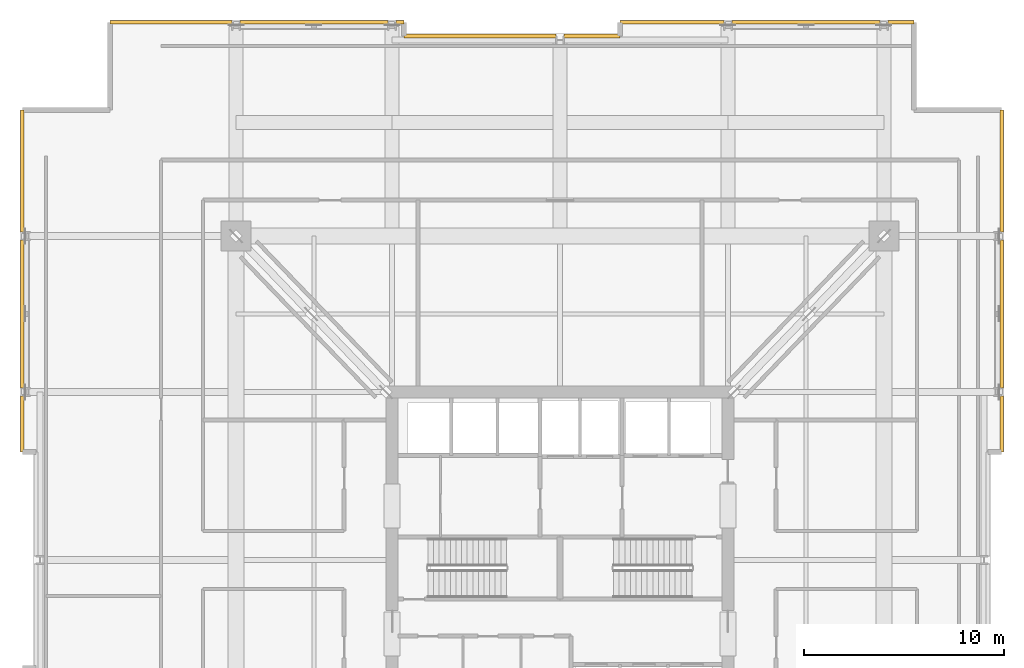
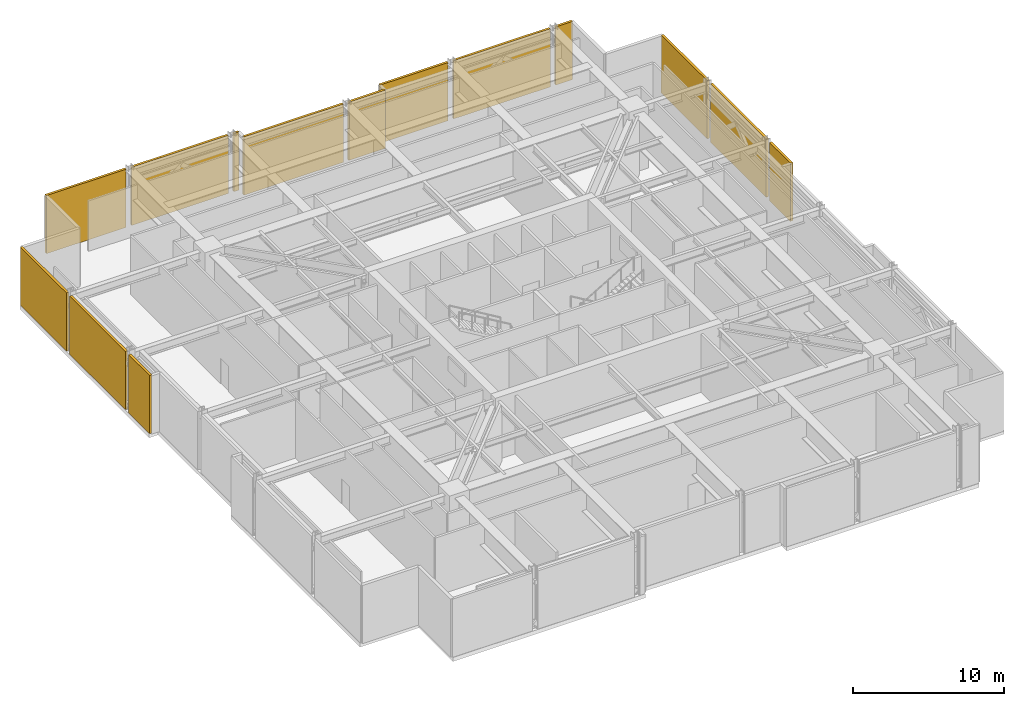
# One storey, part 13 of 13: 14 shading devices.
"""IFC4 building model written with IfcOpenShell, lengths in metres."""

import ifcopenshell
import ifcopenshell.guid

model = None  # the IFC model being written
_history = None  # IfcOwnerHistory: only IFC2X3 demands one
_inside = {}  # id of a spatial element -> (the spatial element, [elements in it])
_under = {}  # id of a project, library or spatial element -> (it, [spatial elements below it])
_declared = {}  # id of a project -> (the project, [libraries it declares])
_typed = {}  # id of a type object -> (the type object, [elements of that type])
_made_of = {}  # id of a material, layer set ... -> (it, [elements and type objects made of it])


def new_model(schema):
    """Start an empty IFC model of exactly this schema.

    Asked for "IFC4X3", IfcOpenShell would pick the latest addendum, in which some entities
    have other attributes; the version numbers below select the first issue.
    IFC2X3 requires an IfcOwnerHistory on every rooted entity: one is made here for all.
    """
    global model, _history
    if schema == "IFC4X3":
        model = ifcopenshell.file(schema_version=(4, 3, 0, 0))
    else:
        model = ifcopenshell.file(schema=schema)
    _inside.clear()
    _under.clear()
    _declared.clear()
    _typed.clear()
    _made_of.clear()
    _history = None
    if model.schema == "IFC2X3":
        org = make("IfcOrganization", Name="unknown")
        user = make(
            "IfcPersonAndOrganization",
            ThePerson=make("IfcPerson", FamilyName="unknown"),
            TheOrganization=org,
        )
        app = make(
            "IfcApplication",
            ApplicationDeveloper=org,
            Version="unknown",
            ApplicationFullName="unknown",
            ApplicationIdentifier="unknown",
        )
        _history = make(
            "IfcOwnerHistory",
            OwningUser=user,
            OwningApplication=app,
            ChangeAction="ADDED",
            CreationDate=0,
        )
    return model


def make(cls, **values):
    """One entity of the class cls with the attributes given. An attribute that is None is left unset."""
    return model.create_entity(
        cls, **{name: value for name, value in values.items() if value is not None}
    )


def rooted(cls, **values):
    """An entity with a GlobalId (a new one), such as an element, a storey or a relation."""
    return make(cls, GlobalId=ifcopenshell.guid.new(), OwnerHistory=_history, **values)


def si_unit(unit_type, name, prefix=None):
    """IfcSIUnit, for example si_unit("LENGTHUNIT", "METRE", prefix="MILLI")."""
    return make("IfcSIUnit", UnitType=unit_type, Prefix=prefix, Name=name)


def assignment(units):
    """IfcUnitAssignment: the units of a project."""
    return None if units is None else make("IfcUnitAssignment", Units=units)


def point(xyz):
    """IfcCartesianPoint."""
    return None if xyz is None else make("IfcCartesianPoint", Coordinates=xyz)


def direction(xyz):
    """IfcDirection."""
    return None if xyz is None else make("IfcDirection", DirectionRatios=xyz)


def frame(location, z_axis=None, x_axis=None):
    """IfcAxis2Placement3D, a coordinate frame: its origin and axes. An axis left out is left unset."""
    return make(
        "IfcAxis2Placement3D",
        Location=point(location),
        Axis=direction(z_axis),
        RefDirection=direction(x_axis),
    )


def frame_2d(location, x_axis=None):
    """IfcAxis2Placement2D, a coordinate frame in the plane: its origin and x axis."""
    return make(
        "IfcAxis2Placement2D", Location=point(location), RefDirection=direction(x_axis)
    )


def origin():
    """The frame at (0, 0, 0) with its axes left unset."""
    return frame((0.0, 0.0, 0.0))


def origin_2d():
    """The frame at (0, 0) in the plane with its x axis left unset."""
    return frame_2d((0.0, 0.0))


def place(relative_to, where):
    """IfcLocalPlacement: puts the frame where relative to a parent placement (None: the world)."""
    return make(
        "IfcLocalPlacement", PlacementRelTo=relative_to, RelativePlacement=where
    )


def context(
    kind, dimensions, precision=None, world=None, true_north=None, identifier=None
):
    """IfcGeometricRepresentationContext, for example the 3D "Model" context."""
    return make(
        "IfcGeometricRepresentationContext",
        ContextIdentifier=identifier,
        ContextType=kind,
        CoordinateSpaceDimension=dimensions,
        Precision=precision,
        WorldCoordinateSystem=world,
        TrueNorth=true_north,
    )


def subcontext(parent, identifier, kind, view, scale=None):
    """IfcGeometricRepresentationSubContext, for example "Body" below "Model"."""
    return make(
        "IfcGeometricRepresentationSubContext",
        ContextIdentifier=identifier,
        ContextType=kind,
        ParentContext=parent,
        TargetScale=scale,
        TargetView=view,
    )


def project(units=None, contexts=None):
    """IfcProject with its units and contexts."""
    return rooted(
        "IfcProject",
        Name="project",
        RepresentationContexts=contexts,
        UnitsInContext=assignment(units),
    )


def spatial(cls, under=None, at=None, **own):
    """A site, building, storey or space (cls), placed at a placement, below another one or the project."""
    s = rooted(cls, ObjectPlacement=at, **own)
    if under is not None:
        _under.setdefault(under.id(), (under, []))[1].append(s)
    return s


def profile(cls, at=None, kind="AREA", **sizes):
    """A parametric profile (cls). Its sizes go by their IFC names, for example OverallWidth=200.0."""
    return make(cls, ProfileType=kind, Position=at, **sizes)


def rectangle(**sizes):
    """IfcRectangleProfileDef."""
    return profile("IfcRectangleProfileDef", **sizes)


def extrude(swept, where, along, depth):
    """IfcExtrudedAreaSolid: the profile swept, set in the frame where, extruded along a direction by depth."""
    return make(
        "IfcExtrudedAreaSolid",
        SweptArea=swept,
        Position=where,
        ExtrudedDirection=direction(along),
        Depth=depth,
    )


def shape(context_of_items, identifier, shape_type, items):
    """IfcShapeRepresentation: the items that make up one representation, for example the "Body"."""
    return make(
        "IfcShapeRepresentation",
        ContextOfItems=context_of_items,
        RepresentationIdentifier=identifier,
        RepresentationType=shape_type,
        Items=items,
    )


def material(Name=None, Category=None):
    """IfcMaterial."""
    return make("IfcMaterial", Name=Name, Category=Category)


def layer(
    of_material, thickness, ventilated=None, Name=None, Category=None, Priority=None
):
    """IfcMaterialLayer: one layer of a wall or slab, of a material (None: an air gap)."""
    return make(
        "IfcMaterialLayer",
        Material=of_material,
        LayerThickness=thickness,
        IsVentilated=ventilated,
        Name=Name,
        Category=Category,
        Priority=Priority,
    )


def layer_set(layers, Name=None):
    """IfcMaterialLayerSet."""
    return make("IfcMaterialLayerSet", MaterialLayers=layers, LayerSetName=Name)


def made_of(thing, what):
    """Note that an element or type object is made of a material, layer set ...; save() writes the relation."""
    if what is not None:
        _made_of.setdefault(what.id(), (what, []))[1].append(thing)
    return thing


def type_object(cls, material=None, **own):
    """A type object (cls), such as IfcWallType, which elements share."""
    return made_of(rooted(cls, **own), material)


def element(
    cls,
    number,
    at=None,
    inside=None,
    cuts=None,
    type_object=None,
    material=None,
    context=None,
    identifier="Body",
    shape_type=None,
    held_by="IfcProductDefinitionShape",
    body=None,
    shapes=None,
    **own,
):
    """One element of the class cls, such as IfcWall. Its Tag is "e" and its number.

    at: its placement. inside: the storey or other place that contains it. cuts: it is an
    opening in that element (IfcRelVoidsElement). A single representation is given by context,
    identifier, shape_type and body (its items); several are given by shapes. held_by: the class
    of the entity that holds the representations. save() writes the other relations.
    """
    e = rooted(cls, Tag="e%d" % number, ObjectPlacement=at, **own)
    if body is not None:
        shapes = [shape(context, identifier, shape_type, body)]
    if shapes is not None:
        e.Representation = make(held_by, Representations=shapes)
    if inside is not None:
        _inside.setdefault(inside.id(), (inside, []))[1].append(e)
    if cuts is not None:
        rooted(
            "IfcRelVoidsElement", RelatingBuildingElement=cuts, RelatedOpeningElement=e
        )
    if type_object is not None:
        _typed.setdefault(type_object.id(), (type_object, []))[1].append(e)
    return made_of(e, material)


def aggregate(whole, parts):
    """IfcRelAggregates: a whole, such as a stair, and the parts it consists of."""
    return rooted("IfcRelAggregates", RelatingObject=whole, RelatedObjects=parts)


def save(model, path):
    """Write the relations noted so far, then the file.

    IfcRelAggregates (storeys below a building ...), IfcRelContainedInSpatialStructure (elements
    in a storey), IfcRelDefinesByType, IfcRelAssociatesMaterial and IfcRelDeclares: one each for
    every whole, place, type object, material and project.
    """
    for whole, parts in _under.values():
        aggregate(whole, parts)
    for where, things in _inside.values():
        rooted(
            "IfcRelContainedInSpatialStructure",
            RelatedElements=things,
            RelatingStructure=where,
        )
    for kind, things in _typed.values():
        rooted("IfcRelDefinesByType", RelatedObjects=things, RelatingType=kind)
    for what, things in _made_of.values():
        rooted("IfcRelAssociatesMaterial", RelatedObjects=things, RelatingMaterial=what)
    for by, libraries in _declared.values():
        rooted("IfcRelDeclares", RelatingContext=by, RelatedDefinitions=libraries)
    model.write(path)


model = new_model("IFC4")

# Units and contexts
model_context = context("Model", 3, precision=1e-05, world=origin(), true_north=direction((0.0, 1.0)))
body_context = subcontext(model_context, "Body", "Model", "MODEL_VIEW")
ifc_project = project(units=[si_unit("LENGTHUNIT", "METRE"), si_unit("AREAUNIT", "SQUARE_METRE"), si_unit("VOLUMEUNIT", "CUBIC_METRE"), si_unit("PLANEANGLEUNIT", "RADIAN"), si_unit("MASSUNIT", "GRAM", prefix="KILO")], contexts=[model_context])

# Site, building, storey
site_placement = place(None, origin())
site = spatial("IfcSite", under=ifc_project, at=site_placement, CompositionType="ELEMENT")
building_placement = place(site_placement, origin())
building = spatial("IfcBuilding", under=site, at=building_placement, Name="Drelvath Grand Hotel", CompositionType="ELEMENT")
storey_placement = place(building_placement, frame((0.0, 0.0, 140.800048828125)))
storey = spatial("IfcBuildingStorey", under=building, at=storey_placement, Name="L36", CompositionType="ELEMENT", Elevation=140.800048828125)

# Shading devices
ifc_material = material(Name="Pale-Metal Anodised Aluminium Louvre", Category="aluminium")
ifc_layer = layer(ifc_material, 0.179931640625)
ifc_layer_set = layer_set([ifc_layer], Name="Pale-Metal Anodised Aluminium Louvre")
shading_device_type = type_object("IfcShadingDeviceType", Name="Mechanical Acoustic Weather Louvre Pale-Metal 180", PredefinedType="USERDEFINED", material=ifc_layer_set)
shading_device_1_placement = place(storey_placement, frame((-26.8798828125, 33.79541015625, 0.0), z_axis=(0.0, 0.0, 1.0), x_axis=(0.0, 1.0, 0.0)))
element("IfcShadingDevice", 1, at=shading_device_1_placement, inside=storey, type_object=shading_device_type, Name="L36 Mechanical Plant Acoustic Louvre WN-1", ObjectType="LOUVRE", PredefinedType="USERDEFINED", context=body_context, shape_type="SweptSolid", body=[
    extrude(rectangle(XDim=2.79052734375, YDim=0.179931640625, at=origin_2d()), origin(), (0.0, 0.0, 1.0), 4.699951171875),
])
shading_device_2_placement = place(storey_placement, frame((-26.8798828125, 39.300048828125, 0.0), z_axis=(0.0, 0.0, 1.0), x_axis=(0.0, 1.0, 0.0)))
element("IfcShadingDevice", 2, at=shading_device_2_placement, inside=storey, type_object=shading_device_type, Name="L36 Mechanical Plant Acoustic Louvre WN-2", ObjectType="LOUVRE", PredefinedType="USERDEFINED", context=body_context, shape_type="SweptSolid", body=[
    extrude(rectangle(XDim=7.381103515625, YDim=0.179931640625, at=origin_2d()), origin(), (0.0, 0.0, 1.0), 4.699951171875),
])
shading_device_3_placement = place(storey_placement, frame((-26.8798828125, 46.45458984375, 0.0), z_axis=(0.0, 0.0, 1.0), x_axis=(0.0, 1.0, 0.0)))
element("IfcShadingDevice", 3, at=shading_device_3_placement, inside=storey, type_object=shading_device_type, Name="L36 Mechanical Plant Acoustic Louvre WN-3", ObjectType="LOUVRE", PredefinedType="USERDEFINED", context=body_context, shape_type="SweptSolid", body=[
    extrude(rectangle(XDim=6.090576171875, YDim=0.179931640625, at=origin_2d()), origin(), (0.0, 0.0, 1.0), 4.699951171875),
])
shading_device_4_placement = place(storey_placement, frame((22.080078125, 33.79541015625, 0.0), z_axis=(0.0, 0.0, 1.0), x_axis=(0.0, 1.0, 0.0)))
element("IfcShadingDevice", 4, at=shading_device_4_placement, inside=storey, type_object=shading_device_type, Name="L36 Mechanical Plant Acoustic Louvre EN-1", ObjectType="LOUVRE", PredefinedType="USERDEFINED", context=body_context, shape_type="SweptSolid", body=[
    extrude(rectangle(XDim=2.79052734375, YDim=0.179931640625, at=origin_2d()), origin(), (0.0, 0.0, 1.0), 4.699951171875),
])
shading_device_5_placement = place(storey_placement, frame((22.080078125, 39.300048828125, 0.0), z_axis=(0.0, 0.0, 1.0), x_axis=(0.0, 1.0, 0.0)))
element("IfcShadingDevice", 5, at=shading_device_5_placement, inside=storey, type_object=shading_device_type, Name="L36 Mechanical Plant Acoustic Louvre EN-2", ObjectType="LOUVRE", PredefinedType="USERDEFINED", context=body_context, shape_type="SweptSolid", body=[
    extrude(rectangle(XDim=7.381103515625, YDim=0.179931640625, at=origin_2d()), origin(), (0.0, 0.0, 1.0), 4.699951171875),
])
for number, where, z_axis, x_axis, name in (
    (6, (22.080078125, 46.45458984375, 0.0), (0.0, 0.0, 1.0), (0.0, 1.0, 0.0), "L36 Mechanical Plant Acoustic Louvre EN-3"),
    (7, (-19.45458984375, 53.8798828125, 0.0), (0.0, 0.0, 1.0), (1.0, 0.0, 0.0), "L36 Mechanical Plant Acoustic Louvre NW-1"),
):
    element("IfcShadingDevice", number, at=place(storey_placement, frame(where, z_axis=z_axis, x_axis=x_axis)), inside=storey, type_object=shading_device_type, Name=name, ObjectType="LOUVRE", PredefinedType="USERDEFINED", context=body_context, shape_type="SweptSolid", body=[
        extrude(rectangle(XDim=6.090576171875, YDim=0.179931640625, at=origin_2d()), origin(), (0.0, 0.0, 1.0), 4.699951171875),
    ])
shading_device_6_placement = place(storey_placement, frame((-12.300048828125, 53.8798828125, 0.0), z_axis=(0.0, 0.0, 1.0), x_axis=(1.0, 0.0, 0.0)))
element("IfcShadingDevice", 8, at=shading_device_6_placement, inside=storey, type_object=shading_device_type, Name="L36 Mechanical Plant Acoustic Louvre NW-2", ObjectType="LOUVRE", PredefinedType="USERDEFINED", context=body_context, shape_type="SweptSolid", body=[
    extrude(rectangle(XDim=7.381103515625, YDim=0.179931640625, at=origin_2d()), origin(), (0.0, 0.0, 1.0), 4.699951171875),
])
shading_device_7_placement = place(storey_placement, frame((-7.995361328125, 53.8798828125, 0.0), z_axis=(0.0, 0.0, 1.0), x_axis=(1.0, 0.0, 0.0)))
element("IfcShadingDevice", 9, at=shading_device_7_placement, inside=storey, type_object=shading_device_type, Name="L36 Mechanical Plant Acoustic Louvre NW-3", ObjectType="LOUVRE", PredefinedType="USERDEFINED", context=body_context, shape_type="SweptSolid", body=[
    extrude(rectangle(XDim=0.390625, YDim=0.179931640625, at=origin_2d()), origin(), (0.0, 0.0, 1.0), 4.699951171875),
])
shading_device_8_placement = place(storey_placement, frame((-4.004638671875, 53.199951171875, 0.0), z_axis=(0.0, 0.0, 1.0), x_axis=(1.0, 0.0, 0.0)))
element("IfcShadingDevice", 10, at=shading_device_8_placement, inside=storey, type_object=shading_device_type, Name="L36 Mechanical Plant Acoustic Louvre NM-1", ObjectType="LOUVRE", PredefinedType="USERDEFINED", context=body_context, shape_type="SweptSolid", body=[
    extrude(rectangle(XDim=7.590576171875, YDim=0.179931640625, at=origin_2d()), origin(), (0.0, 0.0, 1.0), 4.699951171875),
])
shading_device_9_placement = place(storey_placement, frame((1.604736328125, 53.199951171875, 0.0), z_axis=(0.0, 0.0, 1.0), x_axis=(1.0, 0.0, 0.0)))
element("IfcShadingDevice", 11, at=shading_device_9_placement, inside=storey, type_object=shading_device_type, Name="L36 Mechanical Plant Acoustic Louvre NM-2", ObjectType="LOUVRE", PredefinedType="USERDEFINED", context=body_context, shape_type="SweptSolid", body=[
    extrude(rectangle(XDim=2.79052734375, YDim=0.179931640625, at=origin_2d()), origin(), (0.0, 0.0, 1.0), 4.699951171875),
])
shading_device_10_placement = place(storey_placement, frame((5.59521484375, 53.8798828125, 0.0), z_axis=(0.0, 0.0, 1.0), x_axis=(1.0, 0.0, 0.0)))
element("IfcShadingDevice", 12, at=shading_device_10_placement, inside=storey, type_object=shading_device_type, Name="L36 Mechanical Plant Acoustic Louvre NE-1", ObjectType="LOUVRE", PredefinedType="USERDEFINED", context=body_context, shape_type="SweptSolid", body=[
    extrude(rectangle(XDim=5.190673828125, YDim=0.179931640625, at=origin_2d()), origin(), (0.0, 0.0, 1.0), 4.699951171875),
])
shading_device_11_placement = place(storey_placement, frame((12.300048828125, 53.8798828125, 0.0), z_axis=(0.0, 0.0, 1.0), x_axis=(1.0, 0.0, 0.0)))
element("IfcShadingDevice", 13, at=shading_device_11_placement, inside=storey, type_object=shading_device_type, Name="L36 Mechanical Plant Acoustic Louvre NE-2", ObjectType="LOUVRE", PredefinedType="USERDEFINED", context=body_context, shape_type="SweptSolid", body=[
    extrude(rectangle(XDim=7.381103515625, YDim=0.179931640625, at=origin_2d()), origin(), (0.0, 0.0, 1.0), 4.699951171875),
])
shading_device_12_placement = place(storey_placement, frame((17.0546875, 53.8798828125, 0.0), z_axis=(0.0, 0.0, 1.0), x_axis=(1.0, 0.0, 0.0)))
element("IfcShadingDevice", 14, at=shading_device_12_placement, inside=storey, type_object=shading_device_type, Name="L36 Mechanical Plant Acoustic Louvre NE-3", ObjectType="LOUVRE", PredefinedType="USERDEFINED", context=body_context, shape_type="SweptSolid", body=[
    extrude(rectangle(XDim=1.29052734375, YDim=0.179931640625, at=origin_2d()), origin(), (0.0, 0.0, 1.0), 4.699951171875),
])

save(model, "model.ifc")
